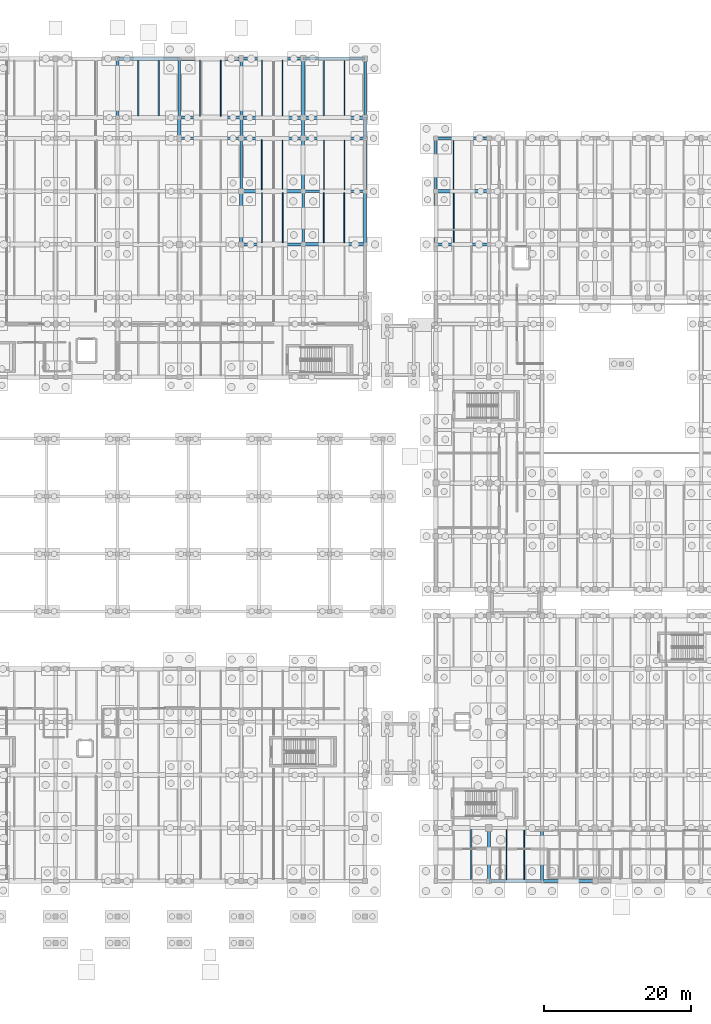
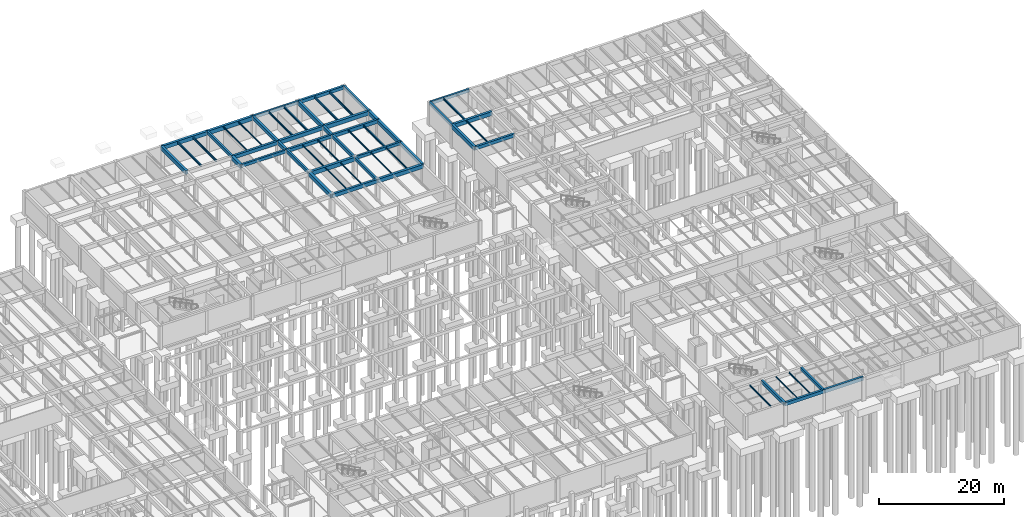
# One storey, part 33 of 63: 59 beams.
"""IFC4 building model written with IfcOpenShell, lengths in metres."""

from ifc_helpers import new_model, si_unit, direction, frame, origin, origin_2d, place, context, subcontext, project, spatial, rectangle, i_section, extrude, material, material_profile, profile_set, type_object, element, save


model = new_model("IFC4")

# Units and contexts
model_context = context("Model", 3, precision=1e-05, world=origin(), true_north=direction((0.0, 1.0)))
body_context = subcontext(model_context, "Body", "Model", "MODEL_VIEW")
ifc_project = project(units=[si_unit("LENGTHUNIT", "METRE"), si_unit("AREAUNIT", "SQUARE_METRE"), si_unit("VOLUMEUNIT", "CUBIC_METRE"), si_unit("PLANEANGLEUNIT", "RADIAN"), si_unit("MASSUNIT", "GRAM", prefix="KILO")], contexts=[model_context])

# Site, building, storey
site_placement = place(None, origin())
site = spatial("IfcSite", under=ifc_project, at=site_placement, CompositionType="ELEMENT")
building_placement = place(site_placement, origin())
building = spatial("IfcBuilding", under=site, at=building_placement, Name="Mazaris Harbour Polytechnic", CompositionType="ELEMENT")
storey_placement = place(building_placement, frame((0.0, 0.0, -4.5)))
storey = spatial("IfcBuildingStorey", under=building, at=storey_placement, Name="B1", CompositionType="ELEMENT", Elevation=-4.5)

# Beams
ifc_material_1 = material(Name="Concrete C35/45", Category="concrete")
ifc_material_profile_1 = material_profile(ifc_material_1, rectangle(XDim=0.35009765625, YDim=0.60009765625, at=origin_2d()), Name="RECT350x600")
ifc_profile_set_1 = profile_set([ifc_material_profile_1], Name="Concrete C35/45")
beam_type_1 = type_object("IfcBeamType", Name="RC Girder 350x600", PredefinedType="BEAM", material=ifc_profile_set_1)
beam_1_placement = place(storey_placement, frame((104.39990234375, 100.800048828125, 3.85009765625), z_axis=(1.0, 0.0, 0.0), x_axis=(0.0, 1.0, 0.0)))
element("IfcBeam", 1, at=beam_1_placement, inside=storey, type_object=beam_type_1, Name="V1 B1 Girder 35", PredefinedType="BEAM", context=body_context, shape_type="SweptSolid", body=[
    extrude(rectangle(XDim=0.35009765625, YDim=0.60009765625, at=origin_2d()), origin(), (0.0, 0.0, 1.0), 8.400146484375),
])
beam_2_placement = place(storey_placement, frame((87.60009765625, 108.0, 3.85009765625), z_axis=(1.0, 0.0, 0.0), x_axis=(0.0, 1.0, 0.0)))
element("IfcBeam", 2, at=beam_2_placement, inside=storey, type_object=beam_type_1, Name="V1 B1 Girder 40", PredefinedType="BEAM", context=body_context, shape_type="SweptSolid", body=[
    extrude(rectangle(XDim=0.35009765625, YDim=0.60009765625, at=origin_2d()), origin(), (0.0, 0.0, 1.0), 8.39990234375),
])
beam_3_placement = place(storey_placement, frame((87.60009765625, 110.800048828125, 3.85009765625), z_axis=(0.0, 1.0, 0.0), x_axis=(-1.0, 0.0, 0.0)))
element("IfcBeam", 3, at=beam_3_placement, inside=storey, type_object=beam_type_1, Name="V1 B1 Tie Girder 90", PredefinedType="BEAM", context=body_context, shape_type="SweptSolid", body=[
    extrude(rectangle(XDim=0.35009765625, YDim=0.60009765625, at=origin_2d()), origin(), (0.0, 0.0, 1.0), 8.0),
])
for number, where, z_axis, x_axis, name in (
    (4, (96.0, 100.800048828125, 3.85009765625), (0.0, 1.0, 0.0), (-1.0, 0.0, 0.0), "V1 B1 Tie Girder 95"),
    (5, (104.39990234375, 93.60009765625, 3.85009765625), (0.0, 1.0, 0.0), (-1.0, 0.0, 0.0), "V1 B1 Tie Girder 100"),
    (6, (136.800048828125, 7.199951171875, 3.8798828125), (0.0, 1.0, 0.0), (-1.0, 0.0, 0.0), "V2 B1 Tie Girder 330"),
):
    element("IfcBeam", number, at=place(storey_placement, frame(where, z_axis=z_axis, x_axis=x_axis)), inside=storey, type_object=beam_type_1, Name=name, PredefinedType="BEAM", context=body_context, shape_type="SweptSolid", body=[
        extrude(rectangle(XDim=0.35009765625, YDim=0.60009765625, at=origin_2d()), origin(), (0.0, 0.0, 1.0), 7.199951171875),
    ])
ifc_material_2 = material(Name="Concrete C35/45", Category="concrete")
ifc_material_profile_2 = material_profile(ifc_material_2, rectangle(XDim=0.35009765625, YDim=0.60009765625, at=origin_2d()), Name="RECT350x600")
ifc_profile_set_2 = profile_set([ifc_material_profile_2], Name="Concrete C35/45")
beam_type_2 = type_object("IfcBeamType", Name="RC Girder 350x600 Exterior", PredefinedType="BEAM", material=ifc_profile_set_2)
beam_4_placement = place(storey_placement, frame((96.0, 118.800048828125, 3.85009765625), z_axis=(1.0, 0.0, 0.0), x_axis=(0.0, 1.0, 0.0)))
element("IfcBeam", 7, at=beam_4_placement, inside=storey, type_object=beam_type_2, Name="V1 B1 Girder 55", PredefinedType="BEAM", context=body_context, shape_type="SweptSolid", body=[
    extrude(rectangle(XDim=0.35009765625, YDim=0.60009765625, at=origin_2d()), origin(), (0.0, 0.0, 1.0), 8.39990234375),
])
beam_5_placement = place(storey_placement, frame((112.800048828125, 110.800048828125, 3.85009765625), z_axis=(0.0, 1.0, 0.0), x_axis=(-1.0, 0.0, 0.0)))
element("IfcBeam", 8, at=beam_5_placement, inside=storey, type_object=beam_type_2, Name="V1 B1 Tie Girder 110", PredefinedType="BEAM", context=body_context, shape_type="SweptSolid", body=[
    extrude(rectangle(XDim=0.35009765625, YDim=0.60009765625, at=origin_2d()), origin(), (0.0, 0.0, 1.0), 8.0),
])
beam_6_placement = place(storey_placement, frame((122.39990234375, 108.0, 3.8798828125), z_axis=(1.0, 0.0, 0.0), x_axis=(0.0, 1.0, 0.0)))
element("IfcBeam", 9, at=beam_6_placement, inside=storey, type_object=beam_type_2, Name="V5 B1 Girder 2540", PredefinedType="BEAM", context=body_context, shape_type="SweptSolid", body=[
    extrude(rectangle(XDim=0.35009765625, YDim=0.60009765625, at=origin_2d()), origin(), (0.0, 0.0, 1.0), 7.2001953125),
])
beam_7_placement = place(storey_placement, frame((122.39990234375, 100.800048828125, 3.8798828125), z_axis=(0.0, 1.0, 0.0), x_axis=(-1.0, 0.0, 0.0)))
element("IfcBeam", 10, at=beam_7_placement, inside=storey, type_object=beam_type_2, Name="V5 B1 Tie Girder 2555", PredefinedType="BEAM", context=body_context, shape_type="SweptSolid", body=[
    extrude(rectangle(XDim=0.35009765625, YDim=0.60009765625, at=origin_2d()), origin(), (0.0, 0.0, 1.0), 7.199951171875),
])
ifc_material_3 = material(Name="Concrete C35/45", Category="concrete")
ifc_material_profile_3 = material_profile(ifc_material_3, rectangle(XDim=0.39990234375, YDim=0.64990234375, at=origin_2d()), Name="RECT400x650")
ifc_profile_set_3 = profile_set([ifc_material_profile_3], Name="Concrete C35/45")
beam_type_3 = type_object("IfcBeamType", Name="RC Girder 400x650", PredefinedType="BEAM", material=ifc_profile_set_3)
beam_8_placement = place(storey_placement, frame((96.0, 108.0, 3.824951171875), z_axis=(1.0, 0.0, 0.0), x_axis=(0.0, 1.0, 0.0)))
element("IfcBeam", 11, at=beam_8_placement, inside=storey, type_object=beam_type_3, Name="V1 B1 Girder 41", PredefinedType="BEAM", context=body_context, shape_type="SweptSolid", body=[
    extrude(rectangle(XDim=0.39990234375, YDim=0.64990234375, at=origin_2d()), origin(), (0.0, 0.0, 1.0), 8.39990234375),
])
beam_9_placement = place(storey_placement, frame((96.0, 108.0, 3.824951171875), z_axis=(0.0, 1.0, 0.0), x_axis=(-1.0, 0.0, 0.0)))
element("IfcBeam", 12, at=beam_9_placement, inside=storey, type_object=beam_type_3, Name="V1 B1 Tie Girder 96", PredefinedType="BEAM", context=body_context, shape_type="SweptSolid", body=[
    extrude(rectangle(XDim=0.39990234375, YDim=0.64990234375, at=origin_2d()), origin(), (0.0, 0.0, 1.0), 2.800048828125),
])
for number, where, z_axis, x_axis, name in (
    (13, (104.39990234375, 100.800048828125, 3.824951171875), (0.0, 1.0, 0.0), (-1.0, 0.0, 0.0), "V1 B1 Tie Girder 101"),
    (14, (129.60009765625, 7.199951171875, 3.85498046875), (0.0, 1.0, 0.0), (-1.0, 0.0, 0.0), "V2 B1 Tie Girder 326"),
):
    element("IfcBeam", number, at=place(storey_placement, frame(where, z_axis=z_axis, x_axis=x_axis)), inside=storey, type_object=beam_type_3, Name=name, PredefinedType="BEAM", context=body_context, shape_type="SweptSolid", body=[
        extrude(rectangle(XDim=0.39990234375, YDim=0.64990234375, at=origin_2d()), origin(), (0.0, 0.0, 1.0), 7.199951171875),
    ])
beam_10_placement = place(storey_placement, frame((122.39990234375, 93.60009765625, 3.85498046875), z_axis=(1.0, 0.0, 0.0), x_axis=(0.0, 1.0, 0.0)))
element("IfcBeam", 15, at=beam_10_placement, inside=storey, type_object=beam_type_3, Name="V5 B1 Girder 2526", PredefinedType="BEAM", context=body_context, shape_type="SweptSolid", body=[
    extrude(rectangle(XDim=0.39990234375, YDim=0.64990234375, at=origin_2d()), origin(), (0.0, 0.0, 1.0), 7.2001953125),
])
ifc_material_4 = material(Name="Concrete C35/45", Category="concrete")
ifc_material_profile_4 = material_profile(ifc_material_4, rectangle(XDim=0.39990234375, YDim=0.64990234375, at=origin_2d()), Name="RECT400x650")
ifc_profile_set_4 = profile_set([ifc_material_profile_4], Name="Concrete C35/45")
beam_type_4 = type_object("IfcBeamType", Name="RC Girder 400x650 Exterior", PredefinedType="BEAM", material=ifc_profile_set_4)
beam_11_placement = place(storey_placement, frame((104.39990234375, 118.800048828125, 3.824951171875), z_axis=(1.0, 0.0, 0.0), x_axis=(0.0, 1.0, 0.0)))
element("IfcBeam", 16, at=beam_11_placement, inside=storey, type_object=beam_type_4, Name="V1 B1 Girder 56", PredefinedType="BEAM", context=body_context, shape_type="SweptSolid", body=[
    extrude(rectangle(XDim=0.39990234375, YDim=0.64990234375, at=origin_2d()), origin(), (0.0, 0.0, 1.0), 8.400146484375),
])
beam_12_placement = place(storey_placement, frame((129.60009765625, 7.199951171875, 3.85498046875), z_axis=(1.0, 0.0, 0.0), x_axis=(0.0, 1.0, 0.0)))
element("IfcBeam", 17, at=beam_12_placement, inside=storey, type_object=beam_type_4, Name="V2 B1 Girder 281", PredefinedType="BEAM", context=body_context, shape_type="SweptSolid", body=[
    extrude(rectangle(XDim=0.39990234375, YDim=0.64990234375, at=origin_2d()), origin(), (0.0, 0.0, 1.0), 7.199951171875),
])
ifc_material_5 = material(Name="Concrete C35/45", Category="concrete")
ifc_material_profile_5 = material_profile(ifc_material_5, rectangle(XDim=0.39990234375, YDim=0.699951171875, at=origin_2d()), Name="RECT400x700")
ifc_profile_set_5 = profile_set([ifc_material_profile_5], Name="Concrete C35/45")
beam_type_5 = type_object("IfcBeamType", Name="RC Girder 400x700", PredefinedType="BEAM", material=ifc_profile_set_5)
beam_13_placement = place(storey_placement, frame((96.0, 93.60009765625, 3.800048828125), z_axis=(1.0, 0.0, 0.0), x_axis=(0.0, 1.0, 0.0)))
element("IfcBeam", 18, at=beam_13_placement, inside=storey, type_object=beam_type_5, Name="V1 B1 Girder 27", PredefinedType="BEAM", context=body_context, shape_type="SweptSolid", body=[
    extrude(rectangle(XDim=0.39990234375, YDim=0.699951171875, at=origin_2d()), origin(), (0.0, 0.0, 1.0), 8.39990234375),
])
beam_14_placement = place(storey_placement, frame((104.39990234375, 108.0, 3.800048828125), z_axis=(1.0, 0.0, 0.0), x_axis=(0.0, 1.0, 0.0)))
element("IfcBeam", 19, at=beam_14_placement, inside=storey, type_object=beam_type_5, Name="V1 B1 Girder 42", PredefinedType="BEAM", context=body_context, shape_type="SweptSolid", body=[
    extrude(rectangle(XDim=0.39990234375, YDim=0.699951171875, at=origin_2d()), origin(), (0.0, 0.0, 1.0), 8.400146484375),
])
beam_15_placement = place(storey_placement, frame((87.60009765625, 110.800048828125, 3.800048828125), z_axis=(1.0, 0.0, 0.0), x_axis=(0.0, 1.0, 0.0)))
element("IfcBeam", 20, at=beam_15_placement, inside=storey, type_object=beam_type_5, Name="V1 B1 Girder 47", PredefinedType="BEAM", context=body_context, shape_type="SweptSolid", body=[
    extrude(rectangle(XDim=0.39990234375, YDim=0.699951171875, at=origin_2d()), origin(), (0.0, 0.0, 1.0), 8.39990234375),
])
beam_16_placement = place(storey_placement, frame((96.0, 110.800048828125, 3.800048828125), z_axis=(0.0, 1.0, 0.0), x_axis=(-1.0, 0.0, 0.0)))
element("IfcBeam", 21, at=beam_16_placement, inside=storey, type_object=beam_type_5, Name="V1 B1 Tie Girder 97", PredefinedType="BEAM", context=body_context, shape_type="SweptSolid", body=[
    extrude(rectangle(XDim=0.39990234375, YDim=0.699951171875, at=origin_2d()), origin(), (0.0, 0.0, 1.0), 8.0),
])
beam_17_placement = place(storey_placement, frame((104.39990234375, 108.0, 3.800048828125), z_axis=(0.0, 1.0, 0.0), x_axis=(-1.0, 0.0, 0.0)))
element("IfcBeam", 22, at=beam_17_placement, inside=storey, type_object=beam_type_5, Name="V1 B1 Tie Girder 102", PredefinedType="BEAM", context=body_context, shape_type="SweptSolid", body=[
    extrude(rectangle(XDim=0.39990234375, YDim=0.699951171875, at=origin_2d()), origin(), (0.0, 0.0, 1.0), 2.800048828125),
])
ifc_material_6 = material(Name="Concrete C35/45", Category="concrete")
ifc_material_profile_6 = material_profile(ifc_material_6, rectangle(XDim=0.39990234375, YDim=0.699951171875, at=origin_2d()), Name="RECT400x700")
ifc_profile_set_6 = profile_set([ifc_material_profile_6], Name="Concrete C35/45")
beam_type_6 = type_object("IfcBeamType", Name="RC Girder 400x700 Exterior", PredefinedType="BEAM", material=ifc_profile_set_6)
for number, where, z_axis, x_axis, name in (
    (23, (112.800048828125, 93.60009765625, 3.800048828125), (0.0, 1.0, 0.0), (-1.0, 0.0, 0.0), "V1 B1 Tie Girder 107"),
    (24, (136.800048828125, 7.199951171875, 3.830078125), (1.0, 0.0, 0.0), (0.0, 1.0, 0.0), "V2 B1 Girder 282"),
):
    element("IfcBeam", number, at=place(storey_placement, frame(where, z_axis=z_axis, x_axis=x_axis)), inside=storey, type_object=beam_type_6, Name=name, PredefinedType="BEAM", context=body_context, shape_type="SweptSolid", body=[
        extrude(rectangle(XDim=0.39990234375, YDim=0.699951171875, at=origin_2d()), origin(), (0.0, 0.0, 1.0), 7.199951171875),
    ])
ifc_material_7 = material(Name="Concrete C40/50", Category="concrete")
ifc_material_profile_7 = material_profile(ifc_material_7, rectangle(XDim=0.449951171875, YDim=0.75, at=origin_2d()), Name="RECT450x750")
ifc_profile_set_7 = profile_set([ifc_material_profile_7], Name="Concrete C40/50")
beam_type_7 = type_object("IfcBeamType", Name="RC Girder 450x750", PredefinedType="BEAM", material=ifc_profile_set_7)
beam_18_placement = place(storey_placement, frame((104.39990234375, 93.60009765625, 3.77490234375), z_axis=(1.0, 0.0, 0.0), x_axis=(0.0, 1.0, 0.0)))
element("IfcBeam", 25, at=beam_18_placement, inside=storey, type_object=beam_type_7, Name="V1 B1 Girder 28", PredefinedType="BEAM", context=body_context, shape_type="SweptSolid", body=[
    extrude(rectangle(XDim=0.449951171875, YDim=0.75, at=origin_2d()), origin(), (0.0, 0.0, 1.0), 8.400146484375),
])
beam_19_placement = place(storey_placement, frame((96.0, 110.800048828125, 3.77490234375), z_axis=(1.0, 0.0, 0.0), x_axis=(0.0, 1.0, 0.0)))
element("IfcBeam", 26, at=beam_19_placement, inside=storey, type_object=beam_type_7, Name="V1 B1 Girder 48", PredefinedType="BEAM", context=body_context, shape_type="SweptSolid", body=[
    extrude(rectangle(XDim=0.449951171875, YDim=0.75, at=origin_2d()), origin(), (0.0, 0.0, 1.0), 8.39990234375),
])
for number, where, z_axis, x_axis, name in (
    (27, (79.199951171875, 110.800048828125, 3.77490234375), (0.0, 1.0, 0.0), (-1.0, 0.0, 0.0), "V1 B1 Tie Girder 83"),
    (28, (104.39990234375, 110.800048828125, 3.77490234375), (0.0, 1.0, 0.0), (-1.0, 0.0, 0.0), "V1 B1 Tie Girder 103"),
):
    element("IfcBeam", number, at=place(storey_placement, frame(where, z_axis=z_axis, x_axis=x_axis)), inside=storey, type_object=beam_type_7, Name=name, PredefinedType="BEAM", context=body_context, shape_type="SweptSolid", body=[
        extrude(rectangle(XDim=0.449951171875, YDim=0.75, at=origin_2d()), origin(), (0.0, 0.0, 1.0), 8.0),
    ])
beam_20_placement = place(storey_placement, frame((122.39990234375, 100.800048828125, 3.804931640625), z_axis=(1.0, 0.0, 0.0), x_axis=(0.0, 1.0, 0.0)))
element("IfcBeam", 29, at=beam_20_placement, inside=storey, type_object=beam_type_7, Name="V5 B1 Girder 2533", PredefinedType="BEAM", context=body_context, shape_type="SweptSolid", body=[
    extrude(rectangle(XDim=0.449951171875, YDim=0.75, at=origin_2d()), origin(), (0.0, 0.0, 1.0), 7.2001953125),
])
ifc_material_8 = material(Name="Concrete C40/50", Category="concrete")
ifc_material_profile_8 = material_profile(ifc_material_8, rectangle(XDim=0.449951171875, YDim=0.75, at=origin_2d()), Name="RECT450x750")
ifc_profile_set_8 = profile_set([ifc_material_profile_8], Name="Concrete C40/50")
beam_type_8 = type_object("IfcBeamType", Name="RC Girder 450x750 Exterior", PredefinedType="BEAM", material=ifc_profile_set_8)
beam_21_placement = place(storey_placement, frame((79.199951171875, 118.800048828125, 3.77490234375), z_axis=(1.0, 0.0, 0.0), x_axis=(0.0, 1.0, 0.0)))
element("IfcBeam", 30, at=beam_21_placement, inside=storey, type_object=beam_type_8, Name="V1 B1 Girder 53", PredefinedType="BEAM", context=body_context, shape_type="SweptSolid", body=[
    extrude(rectangle(XDim=0.449951171875, YDim=0.75, at=origin_2d()), origin(), (0.0, 0.0, 1.0), 8.400146484375),
])
beam_22_placement = place(storey_placement, frame((112.800048828125, 100.800048828125, 3.77490234375), z_axis=(0.0, 1.0, 0.0), x_axis=(-1.0, 0.0, 0.0)))
element("IfcBeam", 31, at=beam_22_placement, inside=storey, type_object=beam_type_8, Name="V1 B1 Tie Girder 108", PredefinedType="BEAM", context=body_context, shape_type="SweptSolid", body=[
    extrude(rectangle(XDim=0.449951171875, YDim=0.75, at=origin_2d()), origin(), (0.0, 0.0, 1.0), 7.199951171875),
])
ifc_material_9 = material(Name="Concrete C40/50", Category="concrete")
ifc_material_profile_9 = material_profile(ifc_material_9, rectangle(XDim=0.449951171875, YDim=0.800048828125, at=origin_2d()), Name="RECT450x800")
ifc_profile_set_9 = profile_set([ifc_material_profile_9], Name="Concrete C40/50")
beam_type_9 = type_object("IfcBeamType", Name="RC Girder 450x800", PredefinedType="BEAM", material=ifc_profile_set_9)
beam_23_placement = place(storey_placement, frame((96.0, 100.800048828125, 3.75), z_axis=(1.0, 0.0, 0.0), x_axis=(0.0, 1.0, 0.0)))
element("IfcBeam", 32, at=beam_23_placement, inside=storey, type_object=beam_type_9, Name="V1 B1 Girder 34", PredefinedType="BEAM", context=body_context, shape_type="SweptSolid", body=[
    extrude(rectangle(XDim=0.449951171875, YDim=0.800048828125, at=origin_2d()), origin(), (0.0, 0.0, 1.0), 8.39990234375),
])
beam_24_placement = place(storey_placement, frame((104.39990234375, 110.800048828125, 3.75), z_axis=(1.0, 0.0, 0.0), x_axis=(0.0, 1.0, 0.0)))
element("IfcBeam", 33, at=beam_24_placement, inside=storey, type_object=beam_type_9, Name="V1 B1 Girder 49", PredefinedType="BEAM", context=body_context, shape_type="SweptSolid", body=[
    extrude(rectangle(XDim=0.449951171875, YDim=0.800048828125, at=origin_2d()), origin(), (0.0, 0.0, 1.0), 8.400146484375),
])
beam_25_placement = place(storey_placement, frame((87.60009765625, 108.0, 3.75), z_axis=(0.0, 1.0, 0.0), x_axis=(-1.0, 0.0, 0.0)))
element("IfcBeam", 34, at=beam_25_placement, inside=storey, type_object=beam_type_9, Name="V1 B1 Tie Girder 89", PredefinedType="BEAM", context=body_context, shape_type="SweptSolid", body=[
    extrude(rectangle(XDim=0.449951171875, YDim=0.800048828125, at=origin_2d()), origin(), (0.0, 0.0, 1.0), 2.800048828125),
])
beam_26_placement = place(storey_placement, frame((96.0, 93.60009765625, 3.75), z_axis=(0.0, 1.0, 0.0), x_axis=(-1.0, 0.0, 0.0)))
element("IfcBeam", 35, at=beam_26_placement, inside=storey, type_object=beam_type_9, Name="V1 B1 Tie Girder 94", PredefinedType="BEAM", context=body_context, shape_type="SweptSolid", body=[
    extrude(rectangle(XDim=0.449951171875, YDim=0.800048828125, at=origin_2d()), origin(), (0.0, 0.0, 1.0), 7.199951171875),
])
ifc_material_10 = material(Name="Concrete C40/50", Category="concrete")
ifc_material_profile_10 = material_profile(ifc_material_10, rectangle(XDim=0.449951171875, YDim=0.800048828125, at=origin_2d()), Name="RECT450x800")
ifc_profile_set_10 = profile_set([ifc_material_profile_10], Name="Concrete C40/50")
beam_type_10 = type_object("IfcBeamType", Name="RC Girder 450x800 Exterior", PredefinedType="BEAM", material=ifc_profile_set_10)
beam_27_placement = place(storey_placement, frame((87.60009765625, 118.800048828125, 3.75), z_axis=(1.0, 0.0, 0.0), x_axis=(0.0, 1.0, 0.0)))
element("IfcBeam", 36, at=beam_27_placement, inside=storey, type_object=beam_type_10, Name="V1 B1 Girder 54", PredefinedType="BEAM", context=body_context, shape_type="SweptSolid", body=[
    extrude(rectangle(XDim=0.449951171875, YDim=0.800048828125, at=origin_2d()), origin(), (0.0, 0.0, 1.0), 8.39990234375),
])
beam_28_placement = place(storey_placement, frame((112.800048828125, 108.0, 3.75), z_axis=(0.0, 1.0, 0.0), x_axis=(-1.0, 0.0, 0.0)))
element("IfcBeam", 37, at=beam_28_placement, inside=storey, type_object=beam_type_10, Name="V1 B1 Tie Girder 109", PredefinedType="BEAM", context=body_context, shape_type="SweptSolid", body=[
    extrude(rectangle(XDim=0.449951171875, YDim=0.800048828125, at=origin_2d()), origin(), (0.0, 0.0, 1.0), 2.800048828125),
])
beam_29_placement = place(storey_placement, frame((122.39990234375, 93.60009765625, 3.780029296875), z_axis=(0.0, 1.0, 0.0), x_axis=(-1.0, 0.0, 0.0)))
element("IfcBeam", 38, at=beam_29_placement, inside=storey, type_object=beam_type_10, Name="V5 B1 Tie Girder 2554", PredefinedType="BEAM", context=body_context, shape_type="SweptSolid", body=[
    extrude(rectangle(XDim=0.449951171875, YDim=0.800048828125, at=origin_2d()), origin(), (0.0, 0.0, 1.0), 7.199951171875),
])
ifc_material_11 = material(Name="Steel S355", Category="steel")
ifc_material_profile_11 = material_profile(ifc_material_11, i_section(OverallWidth=0.10009765625, OverallDepth=0.199951171875, WebThickness=0.005615234375, FlangeThickness=0.008544921875, FilletRadius=0.011962890625, at=origin_2d()), Name="IPE 200")
ifc_profile_set_11 = profile_set([ifc_material_profile_11], Name="Steel S355")
beam_type_11 = type_object("IfcBeamType", Name="Steel Joist IPE200", PredefinedType="JOIST", material=ifc_profile_set_11)
beam_30_placement = place(storey_placement, frame((98.800048828125, 93.800048828125, 4.050048828125), z_axis=(0.0, 1.0, 0.0), x_axis=(-1.0, 0.0, 0.0)))
element("IfcBeam", 39, at=beam_30_placement, inside=storey, type_object=beam_type_11, Name="V1 B1 Floor Joist 161", PredefinedType="JOIST", context=body_context, shape_type="SweptSolid", body=[
    extrude(i_section(OverallWidth=0.10009765625, OverallDepth=0.199951171875, WebThickness=0.005615234375, FlangeThickness=0.008544921875, FilletRadius=0.011962890625, at=origin_2d()), origin(), (0.0, 0.0, 1.0), 6.77490234375),
])
beam_31_placement = place(storey_placement, frame((132.0, 7.39990234375, 4.080078125), z_axis=(0.0, 1.0, 0.0), x_axis=(-1.0, 0.0, 0.0)))
element("IfcBeam", 40, at=beam_31_placement, inside=storey, type_object=beam_type_11, Name="V2 B1 Floor Joist 364", PredefinedType="JOIST", context=body_context, shape_type="SweptSolid", body=[
    extrude(i_section(OverallWidth=0.10009765625, OverallDepth=0.199951171875, WebThickness=0.005615234375, FlangeThickness=0.008544921875, FilletRadius=0.011962890625, at=origin_2d()), origin(), (0.0, 0.0, 1.0), 6.775146484375),
])
ifc_material_12 = material(Name="Steel S355", Category="steel")
ifc_material_profile_12 = material_profile(ifc_material_12, i_section(OverallWidth=0.1201171875, OverallDepth=0.239990234375, WebThickness=0.006103515625, FlangeThickness=0.009765625, FilletRadius=0.014892578125, at=origin_2d()), Name="IPE 240")
ifc_profile_set_12 = profile_set([ifc_material_profile_12], Name="Steel S355")
beam_type_12 = type_object("IfcBeamType", Name="Steel Joist IPE240", PredefinedType="JOIST", material=ifc_profile_set_12)
beam_32_placement = place(storey_placement, frame((90.39990234375, 111.0, 4.030029296875), z_axis=(0.0, 1.0, 0.0), x_axis=(-1.0, 0.0, 0.0)))
element("IfcBeam", 41, at=beam_32_placement, inside=storey, type_object=beam_type_12, Name="V1 B1 Floor Joist 155", PredefinedType="JOIST", context=body_context, shape_type="SweptSolid", body=[
    extrude(i_section(OverallWidth=0.1201171875, OverallDepth=0.239990234375, WebThickness=0.006103515625, FlangeThickness=0.009765625, FilletRadius=0.014892578125, at=origin_2d()), origin(), (0.0, 0.0, 1.0), 7.574951171875),
])
beam_33_placement = place(storey_placement, frame((101.60009765625, 93.800048828125, 4.030029296875), z_axis=(0.0, 1.0, 0.0), x_axis=(-1.0, 0.0, 0.0)))
element("IfcBeam", 42, at=beam_33_placement, inside=storey, type_object=beam_type_12, Name="V1 B1 Floor Joist 162", PredefinedType="JOIST", context=body_context, shape_type="SweptSolid", body=[
    extrude(i_section(OverallWidth=0.1201171875, OverallDepth=0.239990234375, WebThickness=0.006103515625, FlangeThickness=0.009765625, FilletRadius=0.014892578125, at=origin_2d()), origin(), (0.0, 0.0, 1.0), 6.77490234375),
])
beam_34_placement = place(storey_placement, frame((107.199951171875, 93.824951171875, 4.030029296875), z_axis=(0.0, 1.0, 0.0), x_axis=(-1.0, 0.0, 0.0)))
element("IfcBeam", 43, at=beam_34_placement, inside=storey, type_object=beam_type_12, Name="V1 B1 Floor Joist 169", PredefinedType="JOIST", context=body_context, shape_type="SweptSolid", body=[
    extrude(i_section(OverallWidth=0.1201171875, OverallDepth=0.239990234375, WebThickness=0.006103515625, FlangeThickness=0.009765625, FilletRadius=0.014892578125, at=origin_2d()), origin(), (0.0, 0.0, 1.0), 6.800048828125),
])
beam_35_placement = place(storey_placement, frame((134.39990234375, 7.39990234375, 4.06005859375), z_axis=(0.0, 1.0, 0.0), x_axis=(-1.0, 0.0, 0.0)))
element("IfcBeam", 44, at=beam_35_placement, inside=storey, type_object=beam_type_12, Name="V2 B1 Floor Joist 365", PredefinedType="JOIST", context=body_context, shape_type="SweptSolid", body=[
    extrude(i_section(OverallWidth=0.1201171875, OverallDepth=0.239990234375, WebThickness=0.006103515625, FlangeThickness=0.009765625, FilletRadius=0.014892578125, at=origin_2d()), origin(), (0.0, 0.0, 1.0), 6.775146484375),
])
ifc_material_13 = material(Name="Steel S355", Category="steel")
ifc_material_profile_13 = material_profile(ifc_material_13, i_section(OverallWidth=0.135009765625, OverallDepth=0.27001953125, WebThickness=0.006591796875, FlangeThickness=0.01025390625, FilletRadius=0.014892578125, at=origin_2d()), Name="IPE 270")
ifc_profile_set_13 = profile_set([ifc_material_profile_13], Name="Steel S355")
beam_type_13 = type_object("IfcBeamType", Name="Steel Joist IPE270", PredefinedType="JOIST", material=ifc_profile_set_13)
beam_36_placement = place(storey_placement, frame((93.199951171875, 111.0, 4.014892578125), z_axis=(0.0, 1.0, 0.0), x_axis=(-1.0, 0.0, 0.0)))
element("IfcBeam", 45, at=beam_36_placement, inside=storey, type_object=beam_type_13, Name="V1 B1 Floor Joist 156", PredefinedType="JOIST", context=body_context, shape_type="SweptSolid", body=[
    extrude(i_section(OverallWidth=0.135009765625, OverallDepth=0.27001953125, WebThickness=0.006591796875, FlangeThickness=0.01025390625, FilletRadius=0.014892578125, at=origin_2d()), origin(), (0.0, 0.0, 1.0), 7.574951171875),
])
beam_37_placement = place(storey_placement, frame((98.800048828125, 101.02490234375, 4.014892578125), z_axis=(0.0, 1.0, 0.0), x_axis=(-1.0, 0.0, 0.0)))
element("IfcBeam", 46, at=beam_37_placement, inside=storey, type_object=beam_type_13, Name="V1 B1 Floor Joist 163", PredefinedType="JOIST", context=body_context, shape_type="SweptSolid", body=[
    extrude(i_section(OverallWidth=0.135009765625, OverallDepth=0.27001953125, WebThickness=0.006591796875, FlangeThickness=0.01025390625, FilletRadius=0.014892578125, at=origin_2d()), origin(), (0.0, 0.0, 1.0), 6.775146484375),
])
beam_38_placement = place(storey_placement, frame((110.0, 93.824951171875, 4.014892578125), z_axis=(0.0, 1.0, 0.0), x_axis=(-1.0, 0.0, 0.0)))
element("IfcBeam", 47, at=beam_38_placement, inside=storey, type_object=beam_type_13, Name="V1 B1 Floor Joist 170", PredefinedType="JOIST", context=body_context, shape_type="SweptSolid", body=[
    extrude(i_section(OverallWidth=0.135009765625, OverallDepth=0.27001953125, WebThickness=0.006591796875, FlangeThickness=0.01025390625, FilletRadius=0.014892578125, at=origin_2d()), origin(), (0.0, 0.0, 1.0), 6.800048828125),
])
beam_39_placement = place(storey_placement, frame((124.800048828125, 93.800048828125, 4.044921875), z_axis=(0.0, 1.0, 0.0), x_axis=(-1.0, 0.0, 0.0)))
element("IfcBeam", 48, at=beam_39_placement, inside=storey, type_object=beam_type_13, Name="V5 B1 Floor Joist 2620", PredefinedType="JOIST", context=body_context, shape_type="SweptSolid", body=[
    extrude(i_section(OverallWidth=0.135009765625, OverallDepth=0.27001953125, WebThickness=0.006591796875, FlangeThickness=0.01025390625, FilletRadius=0.014892578125, at=origin_2d()), origin(), (0.0, 0.0, 1.0), 6.77490234375),
])
ifc_material_14 = material(Name="Steel S355", Category="steel")
ifc_material_profile_14 = material_profile(ifc_material_14, i_section(OverallWidth=0.14990234375, OverallDepth=0.300048828125, WebThickness=0.007080078125, FlangeThickness=0.0107421875, FilletRadius=0.014892578125, at=origin_2d()), Name="IPE 300")
ifc_profile_set_14 = profile_set([ifc_material_profile_14], Name="Steel S355")
beam_type_14 = type_object("IfcBeamType", Name="Steel Joist IPE300", PredefinedType="JOIST", material=ifc_profile_set_14)
beam_40_placement = place(storey_placement, frame((101.60009765625, 101.02490234375, 4.0), z_axis=(0.0, 1.0, 0.0), x_axis=(-1.0, 0.0, 0.0)))
element("IfcBeam", 49, at=beam_40_placement, inside=storey, type_object=beam_type_14, Name="V1 B1 Floor Joist 164", PredefinedType="JOIST", context=body_context, shape_type="SweptSolid", body=[
    extrude(i_section(OverallWidth=0.14990234375, OverallDepth=0.300048828125, WebThickness=0.007080078125, FlangeThickness=0.0107421875, FilletRadius=0.014892578125, at=origin_2d()), origin(), (0.0, 0.0, 1.0), 6.775146484375),
])
for number, where, z_axis, x_axis, name in (
    (50, (107.199951171875, 100.97509765625, 4.0), (0.0, 1.0, 0.0), (-1.0, 0.0, 0.0), "V1 B1 Floor Joist 171"),
    (51, (127.199951171875, 7.375, 4.030029296875), (0.0, 1.0, 0.0), (-1.0, 0.0, 0.0), "V2 B1 Floor Joist 360"),
):
    element("IfcBeam", number, at=place(storey_placement, frame(where, z_axis=z_axis, x_axis=x_axis)), inside=storey, type_object=beam_type_14, Name=name, PredefinedType="JOIST", context=body_context, shape_type="SweptSolid", body=[
        extrude(i_section(OverallWidth=0.14990234375, OverallDepth=0.300048828125, WebThickness=0.007080078125, FlangeThickness=0.0107421875, FilletRadius=0.014892578125, at=origin_2d()), origin(), (0.0, 0.0, 1.0), 6.824951171875),
    ])
ifc_material_15 = material(Name="Steel S355", Category="steel")
ifc_material_profile_15 = material_profile(ifc_material_15, i_section(OverallWidth=0.169921875, OverallDepth=0.360107421875, WebThickness=0.008056640625, FlangeThickness=0.0126953125, FilletRadius=0.01806640625, at=origin_2d()), Name="IPE 360")
ifc_profile_set_15 = profile_set([ifc_material_profile_15], Name="Steel S355")
beam_type_15 = type_object("IfcBeamType", Name="Steel Joist IPE360", PredefinedType="JOIST", material=ifc_profile_set_15)
beam_41_placement = place(storey_placement, frame((98.800048828125, 111.02490234375, 3.969970703125), z_axis=(0.0, 1.0, 0.0), x_axis=(-1.0, 0.0, 0.0)))
element("IfcBeam", 52, at=beam_41_placement, inside=storey, type_object=beam_type_15, Name="V1 B1 Floor Joist 165", PredefinedType="JOIST", context=body_context, shape_type="SweptSolid", body=[
    extrude(i_section(OverallWidth=0.169921875, OverallDepth=0.360107421875, WebThickness=0.008056640625, FlangeThickness=0.0126953125, FilletRadius=0.01806640625, at=origin_2d()), origin(), (0.0, 0.0, 1.0), 7.60009765625),
])
beam_42_placement = place(storey_placement, frame((110.0, 100.97509765625, 3.969970703125), z_axis=(0.0, 1.0, 0.0), x_axis=(-1.0, 0.0, 0.0)))
element("IfcBeam", 53, at=beam_42_placement, inside=storey, type_object=beam_type_15, Name="V1 B1 Floor Joist 172", PredefinedType="JOIST", context=body_context, shape_type="SweptSolid", body=[
    extrude(i_section(OverallWidth=0.169921875, OverallDepth=0.360107421875, WebThickness=0.008056640625, FlangeThickness=0.0126953125, FilletRadius=0.01806640625, at=origin_2d()), origin(), (0.0, 0.0, 1.0), 6.824951171875),
])
beam_43_placement = place(storey_placement, frame((124.800048828125, 101.02490234375, 4.0), z_axis=(0.0, 1.0, 0.0), x_axis=(-1.0, 0.0, 0.0)))
element("IfcBeam", 54, at=beam_43_placement, inside=storey, type_object=beam_type_15, Name="V5 B1 Floor Joist 2622", PredefinedType="JOIST", context=body_context, shape_type="SweptSolid", body=[
    extrude(i_section(OverallWidth=0.169921875, OverallDepth=0.360107421875, WebThickness=0.008056640625, FlangeThickness=0.0126953125, FilletRadius=0.01806640625, at=origin_2d()), origin(), (0.0, 0.0, 1.0), 6.800048828125),
])
ifc_material_16 = material(Name="Steel S355", Category="steel")
ifc_material_profile_16 = material_profile(ifc_material_16, i_section(OverallWidth=0.179931640625, OverallDepth=0.39990234375, WebThickness=0.008544921875, FlangeThickness=0.013427734375, FilletRadius=0.02099609375, at=origin_2d()), Name="IPE 400")
ifc_profile_set_16 = profile_set([ifc_material_profile_16], Name="Steel S355")
beam_type_16 = type_object("IfcBeamType", Name="Steel Joist IPE400", PredefinedType="JOIST", material=ifc_profile_set_16)
beam_44_placement = place(storey_placement, frame((82.0, 111.0, 3.949951171875), z_axis=(0.0, 1.0, 0.0), x_axis=(-1.0, 0.0, 0.0)))
element("IfcBeam", 55, at=beam_44_placement, inside=storey, type_object=beam_type_16, Name="V1 B1 Floor Joist 145", PredefinedType="JOIST", context=body_context, shape_type="SweptSolid", body=[
    extrude(i_section(OverallWidth=0.179931640625, OverallDepth=0.39990234375, WebThickness=0.008544921875, FlangeThickness=0.013427734375, FilletRadius=0.02099609375, at=origin_2d()), origin(), (0.0, 0.0, 1.0), 7.574951171875),
])
beam_45_placement = place(storey_placement, frame((101.60009765625, 111.02490234375, 3.949951171875), z_axis=(0.0, 1.0, 0.0), x_axis=(-1.0, 0.0, 0.0)))
element("IfcBeam", 56, at=beam_45_placement, inside=storey, type_object=beam_type_16, Name="V1 B1 Floor Joist 166", PredefinedType="JOIST", context=body_context, shape_type="SweptSolid", body=[
    extrude(i_section(OverallWidth=0.179931640625, OverallDepth=0.39990234375, WebThickness=0.008544921875, FlangeThickness=0.013427734375, FilletRadius=0.02099609375, at=origin_2d()), origin(), (0.0, 0.0, 1.0), 7.60009765625),
])
beam_46_placement = place(storey_placement, frame((107.199951171875, 111.02490234375, 3.949951171875), z_axis=(0.0, 1.0, 0.0), x_axis=(-1.0, 0.0, 0.0)))
element("IfcBeam", 57, at=beam_46_placement, inside=storey, type_object=beam_type_16, Name="V1 B1 Floor Joist 173", PredefinedType="JOIST", context=body_context, shape_type="SweptSolid", body=[
    extrude(i_section(OverallWidth=0.179931640625, OverallDepth=0.39990234375, WebThickness=0.008544921875, FlangeThickness=0.013427734375, FilletRadius=0.02099609375, at=origin_2d()), origin(), (0.0, 0.0, 1.0), 7.5751953125),
])
ifc_material_17 = material(Name="Steel S355", Category="steel")
ifc_material_profile_17 = material_profile(ifc_material_17, i_section(OverallWidth=0.18994140625, OverallDepth=0.449951171875, WebThickness=0.009521484375, FlangeThickness=0.0146484375, FilletRadius=0.02099609375, at=origin_2d()), Name="IPE 450")
ifc_profile_set_17 = profile_set([ifc_material_profile_17], Name="Steel S355")
beam_type_17 = type_object("IfcBeamType", Name="Steel Joist IPE450", PredefinedType="JOIST", material=ifc_profile_set_17)
beam_47_placement = place(storey_placement, frame((84.800048828125, 111.0, 3.925048828125), z_axis=(0.0, 1.0, 0.0), x_axis=(-1.0, 0.0, 0.0)))
element("IfcBeam", 58, at=beam_47_placement, inside=storey, type_object=beam_type_17, Name="V1 B1 Floor Joist 146", PredefinedType="JOIST", context=body_context, shape_type="SweptSolid", body=[
    extrude(i_section(OverallWidth=0.18994140625, OverallDepth=0.449951171875, WebThickness=0.009521484375, FlangeThickness=0.0146484375, FilletRadius=0.02099609375, at=origin_2d()), origin(), (0.0, 0.0, 1.0), 7.574951171875),
])
beam_48_placement = place(storey_placement, frame((110.0, 111.02490234375, 3.925048828125), z_axis=(0.0, 1.0, 0.0), x_axis=(-1.0, 0.0, 0.0)))
element("IfcBeam", 59, at=beam_48_placement, inside=storey, type_object=beam_type_17, Name="V1 B1 Floor Joist 174", PredefinedType="JOIST", context=body_context, shape_type="SweptSolid", body=[
    extrude(i_section(OverallWidth=0.18994140625, OverallDepth=0.449951171875, WebThickness=0.009521484375, FlangeThickness=0.0146484375, FilletRadius=0.02099609375, at=origin_2d()), origin(), (0.0, 0.0, 1.0), 7.5751953125),
])

save(model, "model.ifc")
